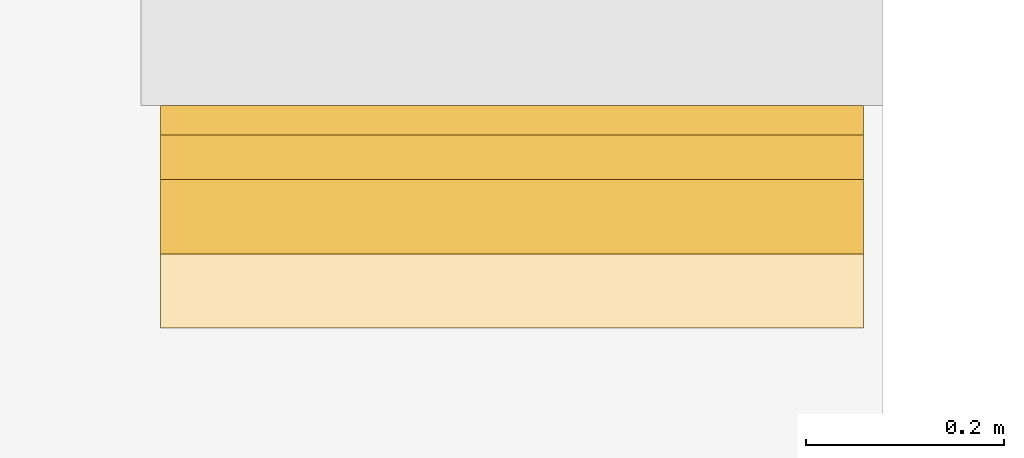
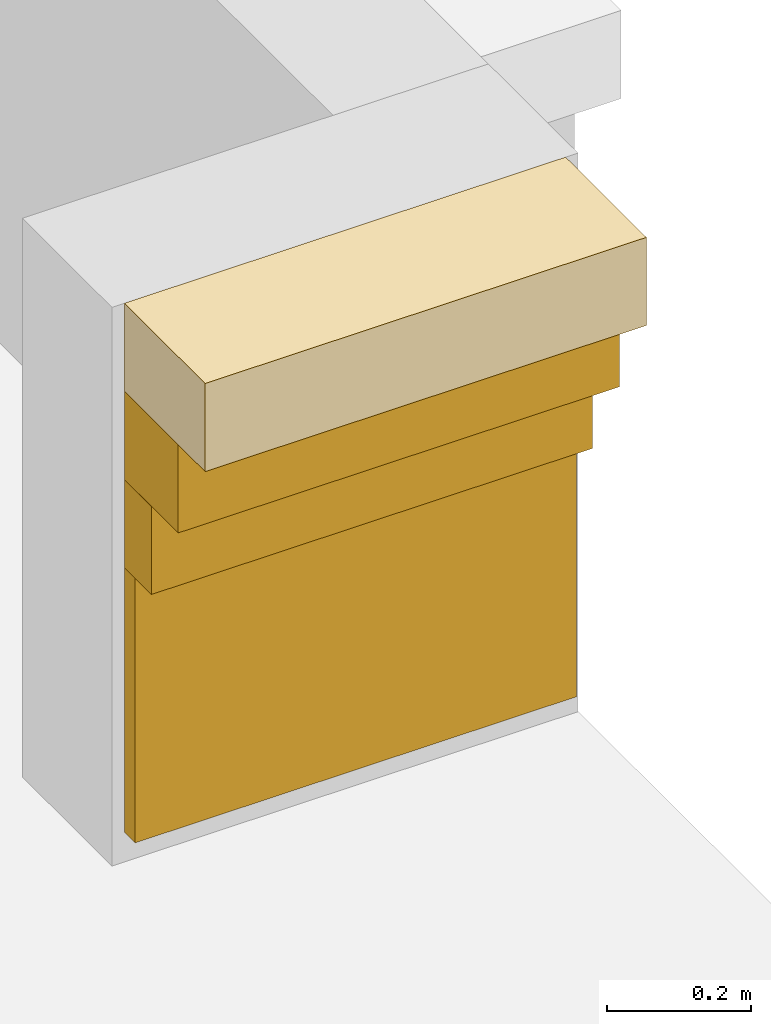
# One storey, part 77 of 77: 4 coverings.
"""IFC4 building model written with IfcOpenShell, lengths in metres."""

from ifc_helpers import new_model, si_unit, direction, frame, origin, origin_2d, place, context, subcontext, project, spatial, rectangle, extrude, material, layer, layer_set, type_object, element, save


model = new_model("IFC4")

# Units and contexts
model_context = context("Model", 3, precision=1e-05, world=origin(), true_north=direction((0.0, 1.0)))
body_context = subcontext(model_context, "Body", "Model", "MODEL_VIEW")
ifc_project = project(units=[si_unit("LENGTHUNIT", "METRE"), si_unit("AREAUNIT", "SQUARE_METRE"), si_unit("VOLUMEUNIT", "CUBIC_METRE"), si_unit("PLANEANGLEUNIT", "RADIAN"), si_unit("MASSUNIT", "GRAM", prefix="KILO")], contexts=[model_context])

# Site, building, storey
site_placement = place(None, origin())
site = spatial("IfcSite", under=ifc_project, at=site_placement, CompositionType="ELEMENT")
building_placement = place(site_placement, origin())
building = spatial("IfcBuilding", under=site, at=building_placement, Name="Catenary Quay Ferry Terminal", CompositionType="ELEMENT")
storey_placement = place(building_placement, frame((0.0, 0.0, 10.800048828125)))
storey = spatial("IfcBuildingStorey", under=building, at=storey_placement, Name="L02", CompositionType="ELEMENT", Elevation=10.800048828125)

# Coverings
ifc_material_1 = material(Name="Facing brick", Category="masonry")
ifc_layer_1 = layer(ifc_material_1, 0.10009765625)
ifc_layer_set_1 = layer_set([ifc_layer_1], Name="CN1")
covering_type_1 = type_object("IfcCoveringType", Name="CN1", PredefinedType="CLADDING", material=ifc_layer_set_1)
covering_1_placement = place(storey_placement, frame((92.02490234375, 105.262451171875, 0.64990234375), z_axis=(0.0, 0.0, 1.0), x_axis=(1.0, 0.0, 0.0)))
element("IfcCovering", 1, at=covering_1_placement, inside=storey, type_object=covering_type_1, Name="Brick corbelled cornice", PredefinedType="CLADDING", context=body_context, shape_type="SweptSolid", body=[
    extrude(rectangle(XDim=0.7099609375, YDim=0.074951171875, at=origin_2d()), origin(), (0.0, 0.0, 1.0), 0.14990234375),
])
covering_2_placement = place(storey_placement, frame((92.02490234375, 105.22509765625, 0.800048828125), z_axis=(0.0, 0.0, 1.0), x_axis=(1.0, 0.0, 0.0)))
element("IfcCovering", 2, at=covering_2_placement, inside=storey, type_object=covering_type_1, Name="Brick corbelled cornice", PredefinedType="CLADDING", context=body_context, shape_type="SweptSolid", body=[
    extrude(rectangle(XDim=0.7099609375, YDim=0.14990234375, at=origin_2d()), origin(), (0.0, 0.0, 1.0), 0.14990234375),
])
covering_3_placement = place(storey_placement, frame((92.02490234375, 105.1875, 0.949951171875), z_axis=(0.0, 0.0, 1.0), x_axis=(1.0, 0.0, 0.0)))
element("IfcCovering", 3, at=covering_3_placement, inside=storey, type_object=covering_type_1, Name="Brick corbelled cornice", PredefinedType="CLADDING", context=body_context, shape_type="SweptSolid", body=[
    extrude(rectangle(XDim=0.7099609375, YDim=0.22509765625, at=origin_2d()), origin(), (0.0, 0.0, 1.0), 0.14990234375),
])
ifc_material_2 = material(Name="Ceramic tile")
ifc_layer_2 = layer(ifc_material_2, 0.030029296875)
ifc_layer_set_2 = layer_set([ifc_layer_2], Name="FR1")
covering_type_2 = type_object("IfcCoveringType", Name="FR1", PredefinedType="CLADDING", material=ifc_layer_set_2)
covering_4_placement = place(storey_placement, frame((92.02490234375, 105.284912109375, 0.2001953125), z_axis=(0.0, 0.0, 1.0), x_axis=(1.0, 0.0, 0.0)))
element("IfcCovering", 4, at=covering_4_placement, inside=storey, type_object=covering_type_2, Name="Glazed tile frieze", PredefinedType="CLADDING", context=body_context, shape_type="SweptSolid", body=[
    extrude(rectangle(XDim=0.7099609375, YDim=0.030029296875, at=origin_2d()), origin(), (0.0, 0.0, 1.0), 0.449951171875),
])

save(model, "model.ifc")
